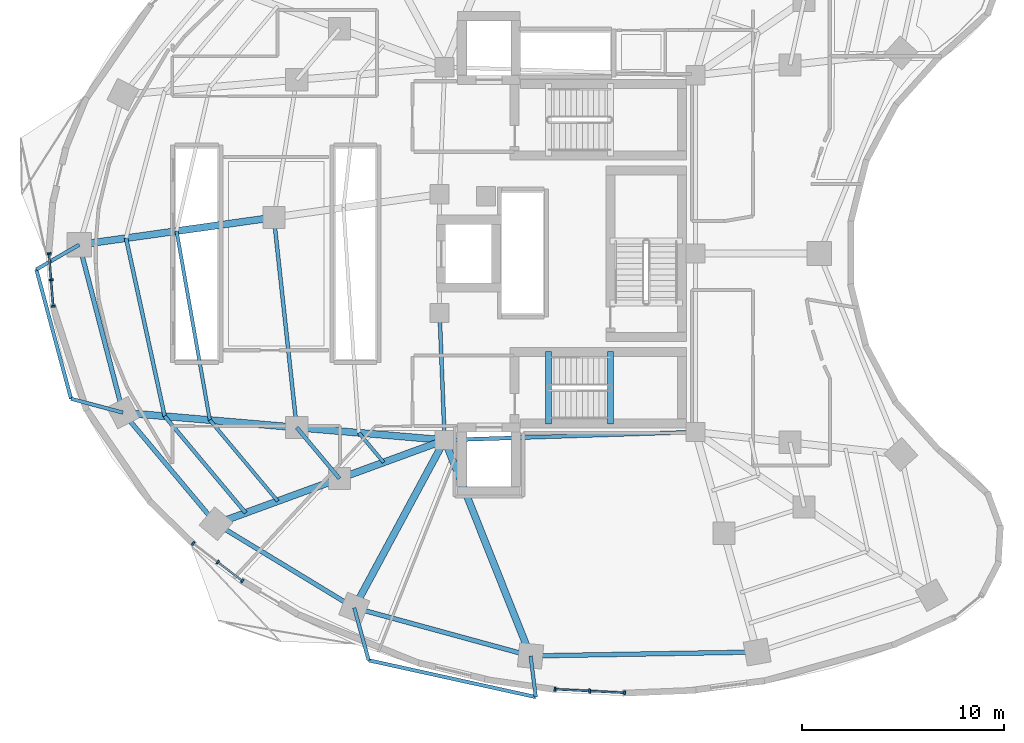
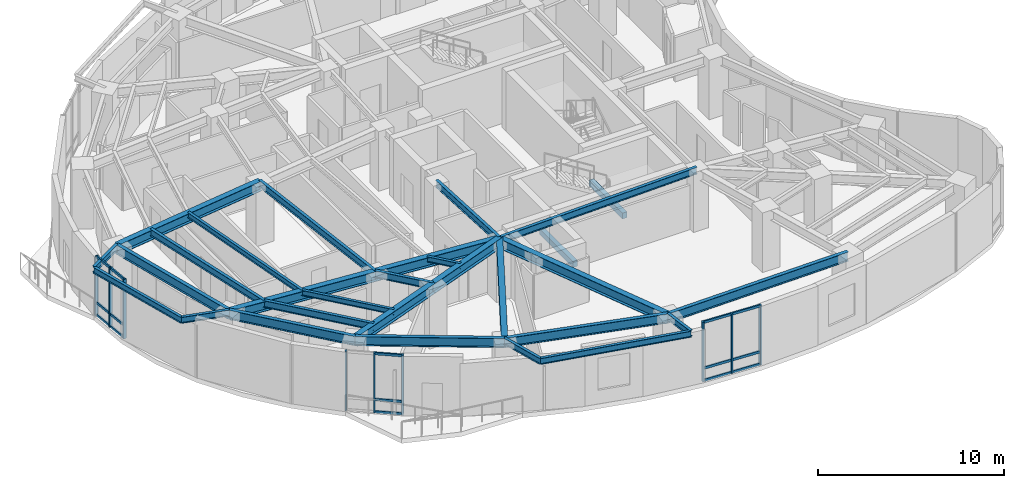
# One storey, part 2 of 14: 29 beams, 24 members, 3 elements without a shape of their own.
"""IFC4 building model written with IfcOpenShell, lengths in metres."""

from ifc_helpers import new_model, si_unit, direction, frame, origin, origin_2d, place, context, subcontext, project, spatial, rectangle, i_section, extrude, material, layer, layer_set, material_profile, profile_set, type_object, element, aggregate, save


model = new_model("IFC4")

# Units and contexts
model_context = context("Model", 3, precision=1e-05, world=origin(), true_north=direction((0.0, 1.0)))
body_context = subcontext(model_context, "Body", "Model", "MODEL_VIEW")
ifc_project = project(units=[si_unit("LENGTHUNIT", "METRE"), si_unit("AREAUNIT", "SQUARE_METRE"), si_unit("VOLUMEUNIT", "CUBIC_METRE"), si_unit("PLANEANGLEUNIT", "RADIAN"), si_unit("MASSUNIT", "GRAM", prefix="KILO")], contexts=[model_context])

# Site, building, storey
site_placement = place(None, origin())
site = spatial("IfcSite", under=ifc_project, at=site_placement, CompositionType="ELEMENT")
building_placement = place(site_placement, origin())
building = spatial("IfcBuilding", under=site, at=building_placement, Name="Korentha Bioscience Tower", CompositionType="ELEMENT")
storey_placement = place(building_placement, frame((0.0, 0.0, 102.60009765625)))
storey = spatial("IfcBuildingStorey", under=building, at=storey_placement, Name="L23", CompositionType="ELEMENT", Elevation=102.60009765625)

# Beams
ifc_material_1 = material(Name="Concrete C50", Category="concrete")
ifc_material_profile_1 = material_profile(ifc_material_1, rectangle(XDim=0.280029296875, YDim=0.3798828125, at=origin_2d()), Name="Concrete C50")
ifc_profile_set_1 = profile_set([ifc_material_profile_1], Name="Concrete C50 (ST-HB380)")
beam_type_1 = type_object("IfcBeamType", Name="Concrete Stair Header Beam RC 280x380", PredefinedType="BEAM", material=ifc_profile_set_1)
for number, where, z_axis, x_axis, name in (
    (1, (30.25, 18.550048828125, -0.190185546875), (0.0, 1.0, 0.0), (-1.0, 0.0, 0.0), "L23 ST-2 Concrete Stair Header Beam"),
    (2, (33.330078125, 18.550048828125, 1.909912109375), (0.0, 1.0, 0.0), (-1.0, 0.0, 0.0), "L23 ST-2 Half-Landing Header Beam 1"),
):
    element("IfcBeam", number, at=place(storey_placement, frame(where, z_axis=z_axis, x_axis=x_axis)), inside=storey, type_object=beam_type_1, Name=name, PredefinedType="BEAM", context=body_context, shape_type="SweptSolid", body=[
        extrude(rectangle(XDim=0.280029296875, YDim=0.3798828125, at=origin_2d()), origin(), (0.0, 0.0, 1.0), 3.599853515625),
    ])
ifc_material_2 = material(Name="Steel S355", Category="steel")
ifc_material_profile_2 = material_profile(ifc_material_2, i_section(OverallWidth=0.18994140625, OverallDepth=0.45703125, WebThickness=0.009033203125, FlangeThickness=0.014404296875, at=origin_2d()), Name="Steel S355")
ifc_profile_set_2 = profile_set([ifc_material_profile_2], Name="Steel S355 (MB-460)")
beam_type_2 = type_object("IfcBeamType", Name="Mid-Ring Tie Girder W460x74", PredefinedType="BEAM", material=ifc_profile_set_2)
beam_1_placement = place(storey_placement, frame((16.627197265625, 28.796630859375, 3.67138671875), z_axis=(0.108002632645, -0.994150607977, 0.0), x_axis=(0.994150607977, 0.108002632645, 0.0)))
element("IfcBeam", 3, at=beam_1_placement, inside=storey, type_object=beam_type_2, Name="L23 Mid-Ring Tie Girder 07", PredefinedType="BEAM", context=body_context, shape_type="SweptSolid", body=[
    extrude(i_section(OverallWidth=0.18994140625, OverallDepth=0.45703125, WebThickness=0.009033203125, FlangeThickness=0.014404296875, at=origin_2d()), origin(), (0.0, 0.0, 1.0), 10.48193359375),
])
beam_2_placement = place(storey_placement, frame((17.75927734375, 18.3759765625, 3.67138671875), z_axis=(0.642121371708, -0.766602989817, 0.0), x_axis=(0.766602989817, 0.642121371708, 0.0)))
element("IfcBeam", 4, at=beam_2_placement, inside=storey, type_object=beam_type_2, Name="L23 Mid-Ring Tie Girder 08", PredefinedType="BEAM", context=body_context, shape_type="SweptSolid", body=[
    extrude(i_section(OverallWidth=0.18994140625, OverallDepth=0.45703125, WebThickness=0.009033203125, FlangeThickness=0.014404296875, at=origin_2d()), origin(), (0.0, 0.0, 1.0), 3.306640625),
])
beam_3_placement = place(storey_placement, frame((24.85009765625, 24.050048828125, 3.67138671875), z_axis=(0.039651025576, -0.999213588864, 0.0), x_axis=(0.999213588864, 0.039651025576, 0.0)))
element("IfcBeam", 5, at=beam_3_placement, inside=storey, type_object=beam_type_2, Name="L23 Core Ring Tie Girder 04", PredefinedType="BEAM", context=body_context, shape_type="SweptSolid", body=[
    extrude(i_section(OverallWidth=0.18994140625, OverallDepth=0.45703125, WebThickness=0.009033203125, FlangeThickness=0.014404296875, at=origin_2d()), origin(), (0.0, 0.0, 1.0), 6.304931640625),
])
beam_4_placement = place(storey_placement, frame((25.10009765625, 17.75, 3.67138671875), z_axis=(0.999484526071, 0.032104238723, 0.0), x_axis=(-0.032104238723, 0.999484526071, 0.0)))
element("IfcBeam", 6, at=beam_4_placement, inside=storey, type_object=beam_type_2, Name="L23 Core Ring Tie Girder 05", PredefinedType="BEAM", context=body_context, shape_type="SweptSolid", body=[
    extrude(i_section(OverallWidth=0.18994140625, OverallDepth=0.45703125, WebThickness=0.009033203125, FlangeThickness=0.014404296875, at=origin_2d()), origin(), (0.0, 0.0, 1.0), 12.456298828125),
])

# Curtain wall, members
ifc_material_3 = material(Name="Thermally Broken Aluminium Frame", Category="aluminium")
ifc_layer = layer(ifc_material_3, 0.219970703125, Name="Thermally Broken Aluminium Frame")
ifc_layer_set = layer_set([ifc_layer], Name="Thermally Broken Aluminium Frame (CW-T1)")
curtain_wall_type = type_object("IfcCurtainWallType", Name="Standard Bioscience Lab Unitised Curtain Wall CW-T1", PredefinedType="USERDEFINED", material=ifc_layer_set)
curtain_wall_1_placement = place(storey_placement, origin())
curtain_wall_1 = element("IfcCurtainWall", 7, at=curtain_wall_1_placement, inside=storey, type_object=curtain_wall_type, Name="L23 Curtain Wall 19", ObjectType="UNITISED", PredefinedType="USERDEFINED")
ifc_material_4 = material(Name="Anodised Aluminium 6063-T6", Category="aluminium")
ifc_material_profile_3 = material_profile(ifc_material_4, rectangle(XDim=0.090087890625, YDim=0.199951171875, at=origin_2d()), Name="Anodised Aluminium 6063-T6")
ifc_profile_set_3 = profile_set([ifc_material_profile_3], Name="Anodised Aluminium 6063-T6 (CW-MUL)")
member_type_1 = type_object("IfcMemberType", Name="Mullion RECT 90x200", PredefinedType="MULLION", material=ifc_profile_set_3)
member_1_placement = place(storey_placement, frame((5.473876953125, 27.0078125, 0.0), z_axis=(0.0, 0.0, 1.0), x_axis=(0.079130214674, -0.996864288219, 0.0)))
member_1 = element("IfcMember", 8, at=member_1_placement, type_object=member_type_1, Name="CW-L23-19 Mullion 1", PredefinedType="MULLION", context=body_context, shape_type="SweptSolid", body=[
    extrude(rectangle(XDim=0.090087890625, YDim=0.199951171875, at=origin_2d()), origin(), (0.0, 0.0, 1.0), 3.89990234375),
])
member_2_placement = place(storey_placement, frame((5.577880859375, 25.6962890625, 0.0), z_axis=(0.0, 0.0, 1.0), x_axis=(0.079130214674, -0.996864288219, 0.0)))
member_2 = element("IfcMember", 9, at=member_2_placement, type_object=member_type_1, Name="CW-L23-19 Mullion 2", PredefinedType="MULLION", context=body_context, shape_type="SweptSolid", body=[
    extrude(rectangle(XDim=0.090087890625, YDim=0.199951171875, at=origin_2d()), origin(), (0.0, 0.0, 1.0), 3.89990234375),
])
member_3_placement = place(storey_placement, frame((5.681884765625, 24.38525390625, 0.0), z_axis=(0.0, 0.0, 1.0), x_axis=(0.079130214674, -0.996864288219, 0.0)))
member_3 = element("IfcMember", 10, at=member_3_placement, type_object=member_type_1, Name="CW-L23-19 Mullion 3", PredefinedType="MULLION", context=body_context, shape_type="SweptSolid", body=[
    extrude(rectangle(XDim=0.090087890625, YDim=0.199951171875, at=origin_2d()), origin(), (0.0, 0.0, 1.0), 3.89990234375),
])

curtain_wall_2_placement = place(storey_placement, origin())
curtain_wall_2 = element("IfcCurtainWall", 11, at=curtain_wall_2_placement, inside=storey, type_object=curtain_wall_type, Name="L23 Curtain Wall 25", ObjectType="UNITISED", PredefinedType="USERDEFINED")
member_4_placement = place(storey_placement, frame((12.624267578125, 12.62890625, 0.0), z_axis=(0.0, 0.0, 1.0), x_axis=(0.794499603893, -0.607264669986, 0.0)))
member_4 = element("IfcMember", 12, at=member_4_placement, type_object=member_type_1, Name="CW-L23-25 Mullion 1", PredefinedType="MULLION", context=body_context, shape_type="SweptSolid", body=[
    extrude(rectangle(XDim=0.090087890625, YDim=0.199951171875, at=origin_2d()), origin(), (0.0, 0.0, 1.0), 3.89990234375),
])
member_5_placement = place(storey_placement, frame((13.844970703125, 11.69580078125, 0.0), z_axis=(0.0, 0.0, 1.0), x_axis=(0.794499603893, -0.607264669986, 0.0)))
member_5 = element("IfcMember", 13, at=member_5_placement, type_object=member_type_1, Name="CW-L23-25 Mullion 2", PredefinedType="MULLION", context=body_context, shape_type="SweptSolid", body=[
    extrude(rectangle(XDim=0.090087890625, YDim=0.199951171875, at=origin_2d()), origin(), (0.0, 0.0, 1.0), 3.89990234375),
])
member_6_placement = place(storey_placement, frame((15.0654296875, 10.7626953125, 0.0), z_axis=(0.0, 0.0, 1.0), x_axis=(0.794499603893, -0.607264669986, 0.0)))
member_6 = element("IfcMember", 14, at=member_6_placement, type_object=member_type_1, Name="CW-L23-25 Mullion 3", PredefinedType="MULLION", context=body_context, shape_type="SweptSolid", body=[
    extrude(rectangle(XDim=0.090087890625, YDim=0.199951171875, at=origin_2d()), origin(), (0.0, 0.0, 1.0), 3.89990234375),
])

curtain_wall_3_placement = place(storey_placement, origin())
curtain_wall_3 = element("IfcCurtainWall", 15, at=curtain_wall_3_placement, inside=storey, type_object=curtain_wall_type, Name="L23 Curtain Wall 31", ObjectType="UNITISED", PredefinedType="USERDEFINED")
member_7_placement = place(storey_placement, frame((30.571533203125, 5.39111328125, 0.0), z_axis=(0.0, 0.0, 1.0), x_axis=(0.998673231344, -0.051495407527, 0.0)))
member_7 = element("IfcMember", 16, at=member_7_placement, type_object=member_type_1, Name="CW-L23-31 Mullion 1", PredefinedType="MULLION", context=body_context, shape_type="SweptSolid", body=[
    extrude(rectangle(XDim=0.090087890625, YDim=0.199951171875, at=origin_2d()), origin(), (0.0, 0.0, 1.0), 3.89990234375),
])
member_8_placement = place(storey_placement, frame((32.301025390625, 5.302001953125, 0.0), z_axis=(0.0, 0.0, 1.0), x_axis=(0.998673231344, -0.051495407527, 0.0)))
member_8 = element("IfcMember", 17, at=member_8_placement, type_object=member_type_1, Name="CW-L23-31 Mullion 2", PredefinedType="MULLION", context=body_context, shape_type="SweptSolid", body=[
    extrude(rectangle(XDim=0.090087890625, YDim=0.199951171875, at=origin_2d()), origin(), (0.0, 0.0, 1.0), 3.89990234375),
])
member_9_placement = place(storey_placement, frame((34.03076171875, 5.212646484375, 0.0), z_axis=(0.0, 0.0, 1.0), x_axis=(0.998673231344, -0.051495407527, 0.0)))
member_9 = element("IfcMember", 18, at=member_9_placement, type_object=member_type_1, Name="CW-L23-31 Mullion 3", PredefinedType="MULLION", context=body_context, shape_type="SweptSolid", body=[
    extrude(rectangle(XDim=0.090087890625, YDim=0.199951171875, at=origin_2d()), origin(), (0.0, 0.0, 1.0), 3.89990234375),
])

# Beams
ifc_material_profile_4 = material_profile(ifc_material_2, i_section(OverallWidth=0.22802734375, OverallDepth=0.60791015625, WebThickness=0.01123046875, FlangeThickness=0.017333984375, at=origin_2d()), Name="Steel S355")
ifc_profile_set_4 = profile_set([ifc_material_profile_4], Name="Steel S355 (SB-610)")
beam_type_3 = type_object("IfcBeamType", Name="Perimeter Ring Spandrel Girder W610x113", PredefinedType="SPANDREL", material=ifc_profile_set_4)
beam_5_placement = place(storey_placement, frame((6.97412109375, 27.4423828125, 3.595947265625), z_axis=(0.251792692694, -0.96778119423, 0.0), x_axis=(0.96778119423, 0.251792692694, 0.0)))
element("IfcBeam", 19, at=beam_5_placement, inside=storey, type_object=beam_type_3, Name="L23 Perimeter Spandrel Girder 07", PredefinedType="SPANDREL", context=body_context, shape_type="SweptSolid", body=[
    extrude(i_section(OverallWidth=0.22802734375, OverallDepth=0.60791015625, WebThickness=0.01123046875, FlangeThickness=0.017333984375, at=origin_2d()), origin(), (0.0, 0.0, 1.0), 8.609130859375),
])
beam_6_placement = place(storey_placement, frame((9.141845703125, 19.110595703125, 3.595947265625), z_axis=(0.642126556076, -0.76659864726, 0.0), x_axis=(0.76659864726, 0.642126556076, 0.0)))
element("IfcBeam", 20, at=beam_6_placement, inside=storey, type_object=beam_type_3, Name="L23 Perimeter Spandrel Girder 08", PredefinedType="SPANDREL", context=body_context, shape_type="SweptSolid", body=[
    extrude(i_section(OverallWidth=0.22802734375, OverallDepth=0.60791015625, WebThickness=0.01123046875, FlangeThickness=0.017333984375, at=origin_2d()), origin(), (0.0, 0.0, 1.0), 7.1884765625),
])
beam_7_placement = place(storey_placement, frame((13.7578125, 13.599853515625, 3.595947265625), z_axis=(0.854461040474, -0.51951547649, 0.0), x_axis=(0.51951547649, 0.854461040474, 0.0)))
element("IfcBeam", 21, at=beam_7_placement, inside=storey, type_object=beam_type_3, Name="L23 Perimeter Spandrel Girder 09", PredefinedType="SPANDREL", context=body_context, shape_type="SweptSolid", body=[
    extrude(i_section(OverallWidth=0.22802734375, OverallDepth=0.60791015625, WebThickness=0.01123046875, FlangeThickness=0.017333984375, at=origin_2d()), origin(), (0.0, 0.0, 1.0), 8.025146484375),
])
beam_8_placement = place(storey_placement, frame((20.614990234375, 9.4306640625, 3.595947265625), z_axis=(0.964659386444, -0.263500034431, 0.0), x_axis=(0.263500034431, 0.964659386444, 0.0)))
element("IfcBeam", 22, at=beam_8_placement, inside=storey, type_object=beam_type_3, Name="L23 Perimeter Spandrel Girder 10", PredefinedType="SPANDREL", context=body_context, shape_type="SweptSolid", body=[
    extrude(i_section(OverallWidth=0.22802734375, OverallDepth=0.60791015625, WebThickness=0.01123046875, FlangeThickness=0.017333984375, at=origin_2d()), origin(), (0.0, 0.0, 1.0), 9.06982421875),
])
beam_9_placement = place(storey_placement, frame((29.3642578125, 7.040771484375, 3.595947265625), z_axis=(0.999850566826, 0.017287105523, 0.0), x_axis=(-0.017287105523, 0.999850566826, 0.0)))
element("IfcBeam", 23, at=beam_9_placement, inside=storey, type_object=beam_type_3, Name="L23 Perimeter Spandrel Girder 11", PredefinedType="SPANDREL", context=body_context, shape_type="SweptSolid", body=[
    extrude(i_section(OverallWidth=0.22802734375, OverallDepth=0.60791015625, WebThickness=0.01123046875, FlangeThickness=0.017333984375, at=origin_2d()), origin(), (0.0, 0.0, 1.0), 11.24169921875),
])
ifc_material_profile_5 = material_profile(ifc_material_2, i_section(OverallWidth=0.18994140625, OverallDepth=0.45703125, WebThickness=0.009033203125, FlangeThickness=0.014404296875, at=origin_2d()), Name="Steel S355")
ifc_profile_set_5 = profile_set([ifc_material_profile_5], Name="Steel S355 (RB-460)")
beam_type_4 = type_object("IfcBeamType", Name="Radial Laboratory Beam W460x74", PredefinedType="BEAM", material=ifc_profile_set_5)
beam_10_placement = place(storey_placement, frame((9.291015625, 27.767578125, 3.67138671875), z_axis=(0.212289478944, -0.977206824132, 0.0), x_axis=(0.977206824132, 0.212289478944, 0.0)))
element("IfcBeam", 24, at=beam_10_placement, inside=storey, type_object=beam_type_4, Name="L23 Secondary Floor Beam JSTO-07", PredefinedType="BEAM", context=body_context, shape_type="SweptSolid", body=[
    extrude(i_section(OverallWidth=0.18994140625, OverallDepth=0.45703125, WebThickness=0.009033203125, FlangeThickness=0.014404296875, at=origin_2d()), origin(), (0.0, 0.0, 1.0), 9.039306640625),
])
beam_11_placement = place(storey_placement, frame((11.2099609375, 18.934326171875, 3.67138671875), z_axis=(0.642128156066, -0.766597307057, 0.0), x_axis=(0.766597307057, 0.642128156066, 0.0)))
element("IfcBeam", 25, at=beam_11_placement, inside=storey, type_object=beam_type_4, Name="L23 Secondary Floor Beam JSTO-08", PredefinedType="BEAM", context=body_context, shape_type="SweptSolid", body=[
    extrude(i_section(OverallWidth=0.18994140625, OverallDepth=0.45703125, WebThickness=0.009033203125, FlangeThickness=0.014404296875, at=origin_2d()), origin(), (0.0, 0.0, 1.0), 6.257080078125),
])
ifc_material_profile_6 = material_profile(ifc_material_2, i_section(OverallWidth=0.35009765625, OverallDepth=0.64990234375, WebThickness=0.01611328125, FlangeThickness=0.02490234375, at=origin_2d()), Name="Steel S355")
ifc_profile_set_6 = profile_set([ifc_material_profile_6], Name="Steel S355 (RB-650)")
beam_type_5 = type_object("IfcBeamType", Name="Radial Laboratory Girder CVS 650x208", PredefinedType="BEAM", material=ifc_profile_set_6)
beam_12_placement = place(storey_placement, frame((16.627197265625, 28.796630859375, 3.574951171875), z_axis=(-0.99030201931, -0.138931315944, 0.0), x_axis=(0.138931315944, -0.99030201931, 0.0)))
element("IfcBeam", 26, at=beam_12_placement, inside=storey, type_object=beam_type_5, Name="L23 Outer Radial Girder 07", PredefinedType="BEAM", context=body_context, shape_type="SweptSolid", body=[
    extrude(i_section(OverallWidth=0.35009765625, OverallDepth=0.64990234375, WebThickness=0.01611328125, FlangeThickness=0.02490234375, at=origin_2d()), origin(), (0.0, 0.0, 1.0), 9.74755859375),
])
beam_13_placement = place(storey_placement, frame((25.10009765625, 17.75, 3.574951171875), z_axis=(-0.996383934197, 0.084965026183, 0.0), x_axis=(-0.084965026183, -0.996383934197, 0.0)))
element("IfcBeam", 27, at=beam_13_placement, inside=storey, type_object=beam_type_5, Name="L23 Inner Radial Girder 08", PredefinedType="BEAM", context=body_context, shape_type="SweptSolid", body=[
    extrude(i_section(OverallWidth=0.35009765625, OverallDepth=0.64990234375, WebThickness=0.01611328125, FlangeThickness=0.02490234375, at=origin_2d()), origin(), (0.0, 0.0, 1.0), 7.367431640625),
])
beam_14_placement = place(storey_placement, frame((17.75927734375, 18.3759765625, 3.574951171875), z_axis=(-0.996386071548, 0.084939957767, 0.0), x_axis=(-0.084939957767, -0.996386071548, 0.0)))
element("IfcBeam", 28, at=beam_14_placement, inside=storey, type_object=beam_type_5, Name="L23 Outer Radial Girder 08", PredefinedType="BEAM", context=body_context, shape_type="SweptSolid", body=[
    extrude(i_section(OverallWidth=0.35009765625, OverallDepth=0.64990234375, WebThickness=0.01611328125, FlangeThickness=0.02490234375, at=origin_2d()), origin(), (0.0, 0.0, 1.0), 8.648681640625),
])
beam_15_placement = place(storey_placement, frame((25.10009765625, 17.75, 3.574951171875), z_axis=(-0.939118010396, -0.343594765022, 0.0), x_axis=(0.343594765022, -0.939118010396, 0.0)))
element("IfcBeam", 29, at=beam_15_placement, inside=storey, type_object=beam_type_5, Name="L23 Inner Radial Girder 09", PredefinedType="BEAM", context=body_context, shape_type="SweptSolid", body=[
    extrude(i_section(OverallWidth=0.35009765625, OverallDepth=0.64990234375, WebThickness=0.01611328125, FlangeThickness=0.02490234375, at=origin_2d()), origin(), (0.0, 0.0, 1.0), 5.5556640625),
])
beam_16_placement = place(storey_placement, frame((19.882568359375, 15.841064453125, 3.574951171875), z_axis=(-0.939100755225, -0.343641923425, 0.0), x_axis=(0.343641923425, -0.939100755225, 0.0)))
element("IfcBeam", 30, at=beam_16_placement, inside=storey, type_object=beam_type_5, Name="L23 Outer Radial Girder 09", PredefinedType="BEAM", context=body_context, shape_type="SweptSolid", body=[
    extrude(i_section(OverallWidth=0.35009765625, OverallDepth=0.64990234375, WebThickness=0.01611328125, FlangeThickness=0.02490234375, at=origin_2d()), origin(), (0.0, 0.0, 1.0), 6.52197265625),
])
beam_17_placement = place(storey_placement, frame((25.10009765625, 17.75, 3.574951171875), z_axis=(-0.474548018732, -0.880229616587, 0.0), x_axis=(0.880229616587, -0.474548018732, 0.0)))
element("IfcBeam", 31, at=beam_17_placement, inside=storey, type_object=beam_type_5, Name="L23 Radial Girder 10", PredefinedType="BEAM", context=body_context, shape_type="SweptSolid", body=[
    extrude(i_section(OverallWidth=0.35009765625, OverallDepth=0.64990234375, WebThickness=0.01611328125, FlangeThickness=0.02490234375, at=origin_2d()), origin(), (0.0, 0.0, 1.0), 9.451416015625),
])
beam_18_placement = place(storey_placement, frame((25.10009765625, 17.75, 3.574951171875), z_axis=(0.369929528493, -0.929059817207, 0.0), x_axis=(0.929059817207, 0.369929528493, 0.0)))
element("IfcBeam", 32, at=beam_18_placement, inside=storey, type_object=beam_type_5, Name="L23 Radial Girder 11", PredefinedType="BEAM", context=body_context, shape_type="SweptSolid", body=[
    extrude(i_section(OverallWidth=0.35009765625, OverallDepth=0.64990234375, WebThickness=0.01611328125, FlangeThickness=0.02490234375, at=origin_2d()), origin(), (0.0, 0.0, 1.0), 11.52685546875),
])
ifc_material_profile_7 = material_profile(ifc_material_2, i_section(OverallWidth=0.1708984375, OverallDepth=0.35498046875, WebThickness=0.007080078125, FlangeThickness=0.01171875, at=origin_2d()), Name="Steel S355")
ifc_profile_set_7 = profile_set([ifc_material_profile_7], Name="Steel S355 (JB-360)")
beam_type_6 = type_object("IfcBeamType", Name="Secondary Laboratory Joist W360x51", PredefinedType="JOIST", material=ifc_profile_set_7)
beam_19_placement = place(storey_placement, frame((11.800537109375, 28.11962890625, 3.722412109375), z_axis=(0.173304009699, -0.984868377105, 0.0), x_axis=(0.984868377105, 0.173304009699, 0.0)))
element("IfcBeam", 33, at=beam_19_placement, inside=storey, type_object=beam_type_6, Name="L23 Secondary Floor Beam JST-07", PredefinedType="JOIST", context=body_context, shape_type="SweptSolid", body=[
    extrude(i_section(OverallWidth=0.1708984375, OverallDepth=0.35498046875, WebThickness=0.007080078125, FlangeThickness=0.01171875, at=origin_2d()), origin(), (0.0, 0.0, 1.0), 9.520263671875),
])
beam_20_placement = place(storey_placement, frame((13.450439453125, 18.743408203125, 3.722412109375), z_axis=(0.642140812018, -0.76658670582, 0.0), x_axis=(0.76658670582, 0.642140812018, 0.0)))
element("IfcBeam", 34, at=beam_20_placement, inside=storey, type_object=beam_type_6, Name="L23 Secondary Floor Beam JST-08", PredefinedType="JOIST", context=body_context, shape_type="SweptSolid", body=[
    extrude(i_section(OverallWidth=0.1708984375, OverallDepth=0.35498046875, WebThickness=0.007080078125, FlangeThickness=0.01171875, at=origin_2d()), origin(), (0.0, 0.0, 1.0), 5.247802734375),
])
beam_21_placement = place(storey_placement, frame((20.84228515625, 18.113037109375, 3.722412109375), z_axis=(0.64218549873, -0.766549271229, 0.0), x_axis=(0.766549271229, 0.64218549873, 0.0)))
element("IfcBeam", 35, at=beam_21_placement, inside=storey, type_object=beam_type_6, Name="L23 Inner Bay Joist 08", PredefinedType="JOIST", context=body_context, shape_type="SweptSolid", body=[
    extrude(i_section(OverallWidth=0.1708984375, OverallDepth=0.35498046875, WebThickness=0.007080078125, FlangeThickness=0.01171875, at=origin_2d()), origin(), (0.0, 0.0, 1.0), 1.91796875),
])
ifc_material_profile_8 = material_profile(ifc_material_2, i_section(OverallWidth=0.177978515625, OverallDepth=0.406982421875, WebThickness=0.0078125, FlangeThickness=0.0126953125, at=origin_2d()), Name="Steel S355")
ifc_profile_set_8 = profile_set([ifc_material_profile_8], Name="Steel S355 (CB-410)")
beam_type_7 = type_object("IfcBeamType", Name="Sun-Ledge Cantilever Beam W410x60", PredefinedType="BEAM", material=ifc_profile_set_8)
beam_22_placement = place(storey_placement, frame((6.97412109375, 27.4423828125, 3.698486328125), z_axis=(-0.866735655447, -0.498767785224, 0.0), x_axis=(0.498767785224, -0.866735655447, 0.0)))
element("IfcBeam", 36, at=beam_22_placement, inside=storey, type_object=beam_type_7, Name="L23 Balcony Cantilever Bracket A-L24-02", PredefinedType="BEAM", context=body_context, shape_type="SweptSolid", body=[
    extrude(i_section(OverallWidth=0.177978515625, OverallDepth=0.406982421875, WebThickness=0.0078125, FlangeThickness=0.0126953125, at=origin_2d()), origin(), (0.0, 0.0, 1.0), 2.458251953125),
])
beam_23_placement = place(storey_placement, frame((9.141845703125, 19.110595703125, 3.698486328125), z_axis=(-0.966099523327, 0.258169926653, 0.0), x_axis=(-0.258169926653, -0.966099523327, 0.0)))
element("IfcBeam", 37, at=beam_23_placement, inside=storey, type_object=beam_type_7, Name="L23 Balcony Cantilever Bracket B-L24-02", PredefinedType="BEAM", context=body_context, shape_type="SweptSolid", body=[
    extrude(i_section(OverallWidth=0.177978515625, OverallDepth=0.406982421875, WebThickness=0.0078125, FlangeThickness=0.0126953125, at=origin_2d()), origin(), (0.0, 0.0, 1.0), 2.665771484375),
])
beam_24_placement = place(storey_placement, frame((4.843505859375, 26.21630859375, 3.698486328125), z_axis=(0.259288233209, -0.965799985566, 0.0), x_axis=(0.965799985566, 0.259288233209, 0.0)))
element("IfcBeam", 38, at=beam_24_placement, inside=storey, type_object=beam_type_7, Name="L23 Balcony Edge Trimmer Beam L24-02", PredefinedType="BEAM", context=body_context, shape_type="SweptSolid", body=[
    extrude(i_section(OverallWidth=0.177978515625, OverallDepth=0.406982421875, WebThickness=0.0078125, FlangeThickness=0.0126953125, at=origin_2d()), origin(), (0.0, 0.0, 1.0), 6.644775390625),
])
beam_25_placement = place(storey_placement, frame((20.614990234375, 9.4306640625, 3.698486328125), z_axis=(0.26487511254, -0.964282725531, 0.0), x_axis=(0.964282725531, 0.26487511254, 0.0)))
element("IfcBeam", 39, at=beam_25_placement, inside=storey, type_object=beam_type_7, Name="L23 Balcony Cantilever Bracket A-L24-03", PredefinedType="BEAM", context=body_context, shape_type="SweptSolid", body=[
    extrude(i_section(OverallWidth=0.177978515625, OverallDepth=0.406982421875, WebThickness=0.0078125, FlangeThickness=0.0126953125, at=origin_2d()), origin(), (0.0, 0.0, 1.0), 2.702392578125),
])
beam_26_placement = place(storey_placement, frame((29.3642578125, 7.040771484375, 3.698486328125), z_axis=(0.124078617268, -0.992272390393, 0.0), x_axis=(0.992272390393, 0.124078617268, 0.0)))
element("IfcBeam", 40, at=beam_26_placement, inside=storey, type_object=beam_type_7, Name="L23 Balcony Cantilever Bracket B-L24-03", PredefinedType="BEAM", context=body_context, shape_type="SweptSolid", body=[
    extrude(i_section(OverallWidth=0.177978515625, OverallDepth=0.406982421875, WebThickness=0.0078125, FlangeThickness=0.0126953125, at=origin_2d()), origin(), (0.0, 0.0, 1.0), 2.05419921875),
])
beam_27_placement = place(storey_placement, frame((21.330810546875, 6.82470703125, 3.698486328125), z_axis=(0.976673314546, -0.21473061415, 0.0), x_axis=(0.21473061415, 0.976673314546, 0.0)))
element("IfcBeam", 41, at=beam_27_placement, inside=storey, type_object=beam_type_7, Name="L23 Balcony Edge Trimmer Beam L24-03", PredefinedType="BEAM", context=body_context, shape_type="SweptSolid", body=[
    extrude(i_section(OverallWidth=0.177978515625, OverallDepth=0.406982421875, WebThickness=0.0078125, FlangeThickness=0.0126953125, at=origin_2d()), origin(), (0.0, 0.0, 1.0), 8.486328125),
])

# Member
ifc_material_profile_9 = material_profile(ifc_material_4, rectangle(XDim=0.090087890625, YDim=0.159912109375, at=origin_2d()), Name="Anodised Aluminium 6063-T6")
ifc_profile_set_9 = profile_set([ifc_material_profile_9], Name="Anodised Aluminium 6063-T6 (CW-TRN)")
member_type_2 = type_object("IfcMemberType", Name="Transom RECT 90x160", PredefinedType="USERDEFINED", material=ifc_profile_set_9)
member_10_placement = place(storey_placement, frame((5.477294921875, 26.962890625, 0.044921875), z_axis=(0.079285983344, -0.996851911191, 0.0), x_axis=(0.996851911191, 0.079285983344, 0.0)))
member_10 = element("IfcMember", 42, at=member_10_placement, type_object=member_type_2, Name="CW-L23-19 Bay 1 Transom 1", ObjectType="TRANSOM", PredefinedType="USERDEFINED", context=body_context, shape_type="SweptSolid", body=[
    extrude(rectangle(XDim=0.090087890625, YDim=0.159912109375, at=origin_2d()), origin(), (0.0, 0.0, 1.0), 1.2255859375),
])

member_11_placement = place(storey_placement, frame((5.477294921875, 26.962890625, 0.849853515625), z_axis=(0.079285983344, -0.996851911191, 0.0), x_axis=(0.996851911191, 0.079285983344, 0.0)))
member_11 = element("IfcMember", 43, at=member_11_placement, type_object=member_type_2, Name="CW-L23-19 Bay 1 Transom 2", ObjectType="TRANSOM", PredefinedType="USERDEFINED", context=body_context, shape_type="SweptSolid", body=[
    extrude(rectangle(XDim=0.090087890625, YDim=0.159912109375, at=origin_2d()), origin(), (0.0, 0.0, 1.0), 1.2255859375),
])

member_12_placement = place(storey_placement, frame((5.477294921875, 26.962890625, 3.85498046875), z_axis=(0.079285983344, -0.996851911191, 0.0), x_axis=(0.996851911191, 0.079285983344, 0.0)))
member_12 = element("IfcMember", 44, at=member_12_placement, type_object=member_type_2, Name="CW-L23-19 Bay 1 Transom 3", ObjectType="TRANSOM", PredefinedType="USERDEFINED", context=body_context, shape_type="SweptSolid", body=[
    extrude(rectangle(XDim=0.090087890625, YDim=0.159912109375, at=origin_2d()), origin(), (0.0, 0.0, 1.0), 1.2255859375),
])

member_13_placement = place(storey_placement, frame((5.58154296875, 25.651611328125, 0.044921875), z_axis=(0.079088019938, -0.996867636701, 0.0), x_axis=(0.996867636701, 0.079088019938, 0.0)))
member_13 = element("IfcMember", 45, at=member_13_placement, type_object=member_type_2, Name="CW-L23-19 Bay 2 Transom 1", ObjectType="TRANSOM", PredefinedType="USERDEFINED", context=body_context, shape_type="SweptSolid", body=[
    extrude(rectangle(XDim=0.090087890625, YDim=0.159912109375, at=origin_2d()), origin(), (0.0, 0.0, 1.0), 1.2255859375),
])

member_14_placement = place(storey_placement, frame((5.58154296875, 25.651611328125, 0.849853515625), z_axis=(0.079088019938, -0.996867636701, 0.0), x_axis=(0.996867636701, 0.079088019938, 0.0)))
member_14 = element("IfcMember", 46, at=member_14_placement, type_object=member_type_2, Name="CW-L23-19 Bay 2 Transom 2", ObjectType="TRANSOM", PredefinedType="USERDEFINED", context=body_context, shape_type="SweptSolid", body=[
    extrude(rectangle(XDim=0.090087890625, YDim=0.159912109375, at=origin_2d()), origin(), (0.0, 0.0, 1.0), 1.2255859375),
])

member_15_placement = place(storey_placement, frame((5.58154296875, 25.651611328125, 3.85498046875), z_axis=(0.079088019938, -0.996867636701, 0.0), x_axis=(0.996867636701, 0.079088019938, 0.0)))
member_15 = element("IfcMember", 47, at=member_15_placement, type_object=member_type_2, Name="CW-L23-19 Bay 2 Transom 3", ObjectType="TRANSOM", PredefinedType="USERDEFINED", context=body_context, shape_type="SweptSolid", body=[
    extrude(rectangle(XDim=0.090087890625, YDim=0.159912109375, at=origin_2d()), origin(), (0.0, 0.0, 1.0), 1.2255859375),
])

aggregate(curtain_wall_1, [member_1, member_2, member_3, member_10, member_11, member_12, member_13, member_14, member_15])

member_16_placement = place(storey_placement, frame((13.880615234375, 11.66845703125, 0.044921875), z_axis=(0.794477589546, -0.607293470828, 0.0), x_axis=(0.607293470828, 0.794477589546, 0.0)))
member_16 = element("IfcMember", 48, at=member_16_placement, type_object=member_type_2, Name="CW-L23-25 Bay 2 Transom 1", ObjectType="TRANSOM", PredefinedType="USERDEFINED", context=body_context, shape_type="SweptSolid", body=[
    extrude(rectangle(XDim=0.090087890625, YDim=0.159912109375, at=origin_2d()), origin(), (0.0, 0.0, 1.0), 1.446533203125),
])

member_17_placement = place(storey_placement, frame((13.880615234375, 11.66845703125, 0.849853515625), z_axis=(0.794477589546, -0.607293470828, 0.0), x_axis=(0.607293470828, 0.794477589546, 0.0)))
member_17 = element("IfcMember", 49, at=member_17_placement, type_object=member_type_2, Name="CW-L23-25 Bay 2 Transom 2", ObjectType="TRANSOM", PredefinedType="USERDEFINED", context=body_context, shape_type="SweptSolid", body=[
    extrude(rectangle(XDim=0.090087890625, YDim=0.159912109375, at=origin_2d()), origin(), (0.0, 0.0, 1.0), 1.446533203125),
])

member_18_placement = place(storey_placement, frame((13.880615234375, 11.66845703125, 3.85498046875), z_axis=(0.794477589546, -0.607293470828, 0.0), x_axis=(0.607293470828, 0.794477589546, 0.0)))
member_18 = element("IfcMember", 50, at=member_18_placement, type_object=member_type_2, Name="CW-L23-25 Bay 2 Transom 3", ObjectType="TRANSOM", PredefinedType="USERDEFINED", context=body_context, shape_type="SweptSolid", body=[
    extrude(rectangle(XDim=0.090087890625, YDim=0.159912109375, at=origin_2d()), origin(), (0.0, 0.0, 1.0), 1.446533203125),
])

aggregate(curtain_wall_2, [member_4, member_5, member_6, member_16, member_17, member_18])

member_19_placement = place(storey_placement, frame((30.616455078125, 5.388916015625, 0.044921875), z_axis=(0.998667892989, -0.05159883247, 0.0), x_axis=(0.05159883247, 0.998667892989, 0.0)))
member_19 = element("IfcMember", 51, at=member_19_placement, type_object=member_type_2, Name="CW-L23-31 Bay 1 Transom 1", ObjectType="TRANSOM", PredefinedType="USERDEFINED", context=body_context, shape_type="SweptSolid", body=[
    extrude(rectangle(XDim=0.090087890625, YDim=0.159912109375, at=origin_2d()), origin(), (0.0, 0.0, 1.0), 1.641845703125),
])

member_20_placement = place(storey_placement, frame((30.616455078125, 5.388916015625, 0.849853515625), z_axis=(0.998667892989, -0.05159883247, 0.0), x_axis=(0.05159883247, 0.998667892989, 0.0)))
member_20 = element("IfcMember", 52, at=member_20_placement, type_object=member_type_2, Name="CW-L23-31 Bay 1 Transom 2", ObjectType="TRANSOM", PredefinedType="USERDEFINED", context=body_context, shape_type="SweptSolid", body=[
    extrude(rectangle(XDim=0.090087890625, YDim=0.159912109375, at=origin_2d()), origin(), (0.0, 0.0, 1.0), 1.641845703125),
])

member_21_placement = place(storey_placement, frame((30.616455078125, 5.388916015625, 3.85498046875), z_axis=(0.998667892989, -0.05159883247, 0.0), x_axis=(0.05159883247, 0.998667892989, 0.0)))
member_21 = element("IfcMember", 53, at=member_21_placement, type_object=member_type_2, Name="CW-L23-31 Bay 1 Transom 3", ObjectType="TRANSOM", PredefinedType="USERDEFINED", context=body_context, shape_type="SweptSolid", body=[
    extrude(rectangle(XDim=0.090087890625, YDim=0.159912109375, at=origin_2d()), origin(), (0.0, 0.0, 1.0), 1.641845703125),
])

member_22_placement = place(storey_placement, frame((32.345947265625, 5.299560546875, 0.044921875), z_axis=(0.998675544552, -0.051450526863, 0.0), x_axis=(0.051450526863, 0.998675544552, 0.0)))
member_22 = element("IfcMember", 54, at=member_22_placement, type_object=member_type_2, Name="CW-L23-31 Bay 2 Transom 1", ObjectType="TRANSOM", PredefinedType="USERDEFINED", context=body_context, shape_type="SweptSolid", body=[
    extrude(rectangle(XDim=0.090087890625, YDim=0.159912109375, at=origin_2d()), origin(), (0.0, 0.0, 1.0), 1.641845703125),
])

member_23_placement = place(storey_placement, frame((32.345947265625, 5.299560546875, 0.849853515625), z_axis=(0.998675544552, -0.051450526863, 0.0), x_axis=(0.051450526863, 0.998675544552, 0.0)))
member_23 = element("IfcMember", 55, at=member_23_placement, type_object=member_type_2, Name="CW-L23-31 Bay 2 Transom 2", ObjectType="TRANSOM", PredefinedType="USERDEFINED", context=body_context, shape_type="SweptSolid", body=[
    extrude(rectangle(XDim=0.090087890625, YDim=0.159912109375, at=origin_2d()), origin(), (0.0, 0.0, 1.0), 1.641845703125),
])

member_24_placement = place(storey_placement, frame((32.345947265625, 5.299560546875, 3.85498046875), z_axis=(0.998675544552, -0.051450526863, 0.0), x_axis=(0.051450526863, 0.998675544552, 0.0)))
member_24 = element("IfcMember", 56, at=member_24_placement, type_object=member_type_2, Name="CW-L23-31 Bay 2 Transom 3", ObjectType="TRANSOM", PredefinedType="USERDEFINED", context=body_context, shape_type="SweptSolid", body=[
    extrude(rectangle(XDim=0.090087890625, YDim=0.159912109375, at=origin_2d()), origin(), (0.0, 0.0, 1.0), 1.641845703125),
])

aggregate(curtain_wall_3, [member_7, member_8, member_9, member_19, member_20, member_21, member_22, member_23, member_24])

save(model, "model.ifc")
